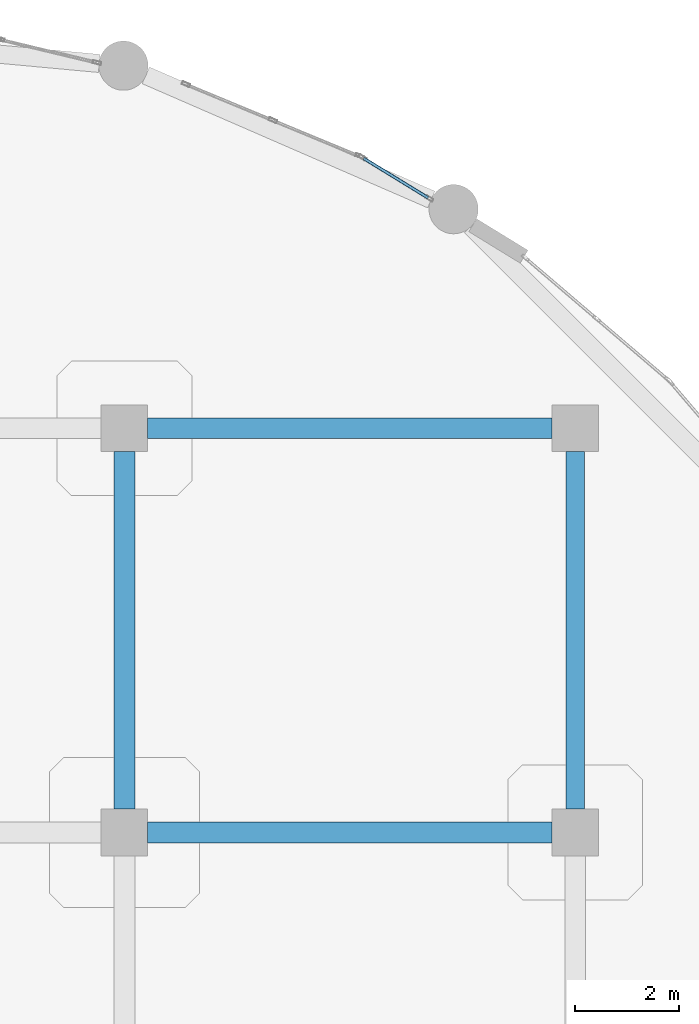
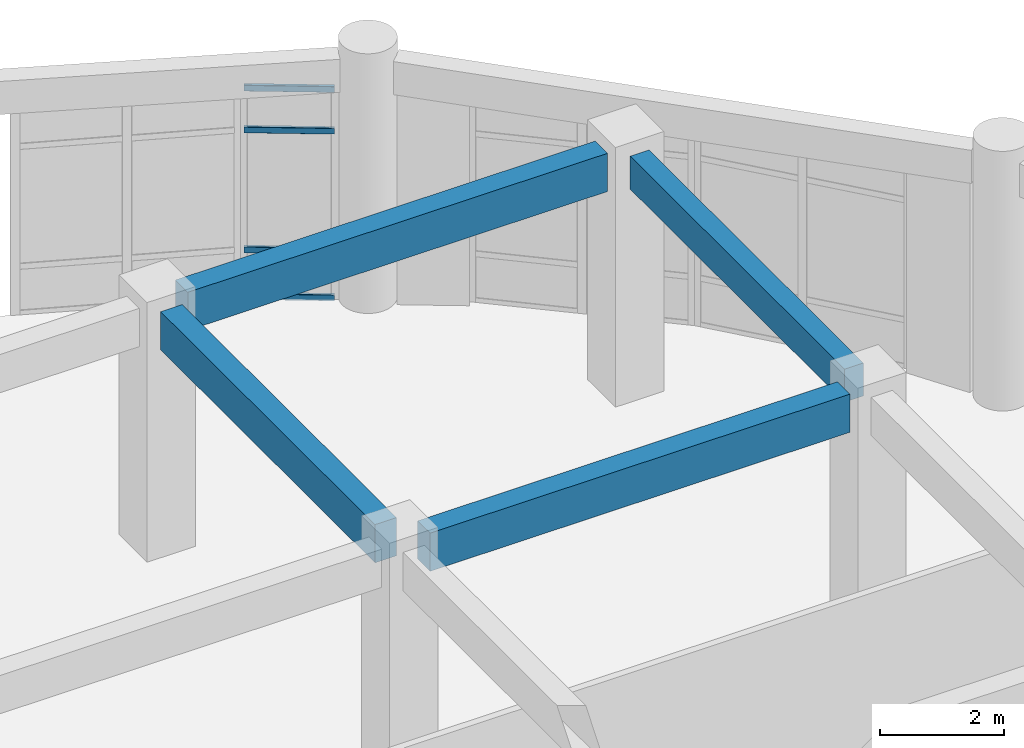
# One storey, part 81 of 120: 4 beams, 4 members, 1 element without a shape of its own.
"""IFC4 building model written with IfcOpenShell, lengths in metres."""

from ifc_helpers import new_model, si_unit, derived_unit, direction, frame, origin, origin_2d, place, context, subcontext, project, spatial, rectangle, hollow_rectangle, extrude, material, layer, layer_set, material_profile, profile_set, type_object, element, aggregate, save


model = new_model("IFC4")

# Units and contexts
model_context = context("Model", 3, precision=1e-05, world=origin(), true_north=direction((0.0, 1.0)))
body_context = subcontext(model_context, "Body", "Model", "MODEL_VIEW")
ifc_project = project(units=[si_unit("LENGTHUNIT", "METRE"), si_unit("AREAUNIT", "SQUARE_METRE"), si_unit("VOLUMEUNIT", "CUBIC_METRE"), si_unit("PLANEANGLEUNIT", "RADIAN"), si_unit("MASSUNIT", "GRAM", prefix="KILO"), derived_unit("THERMALTRANSMITTANCEUNIT", [(si_unit("MASSUNIT", "GRAM", prefix="KILO"), 1), (si_unit("TIMEUNIT", "SECOND"), -3), (si_unit("THERMODYNAMICTEMPERATUREUNIT", "KELVIN"), -1)])], contexts=[model_context])

# Site, building, storey
site_placement = place(None, origin())
site = spatial("IfcSite", under=ifc_project, at=site_placement, CompositionType="ELEMENT")
building_placement = place(site_placement, origin())
building = spatial("IfcBuilding", under=site, at=building_placement, Name="Qinzheling Arcade Emporium", CompositionType="ELEMENT")
storey_placement = place(building_placement, frame((0.0, 0.0, 11.39990234375)))
storey = spatial("IfcBuildingStorey", under=building, at=storey_placement, Name="L03", CompositionType="ELEMENT", Elevation=11.39990234375)

# Curtain wall, members
ifc_material_1 = material(Name="Anodised aluminium and solar-control double glazing", Category="aluminium")
ifc_layer = layer(ifc_material_1, 0.159912109375, Name="Anodised aluminium and solar-control double glazing", Category="aluminium")
ifc_layer_set = layer_set([ifc_layer], Name="Anodised aluminium and solar-control double glazing")
curtain_wall_type = type_object("IfcCurtainWallType", Name="Curved Ribbon Sales Curtain Wall", PredefinedType="NOTDEFINED", material=ifc_layer_set)
curtain_wall_placement = place(storey_placement, origin())
curtain_wall = element("IfcCurtainWall", 1, at=curtain_wall_placement, inside=storey, type_object=curtain_wall_type, Name="Curtain Wall CW-L03-185", PredefinedType="NOTDEFINED")
ifc_material_2 = material(Name="Anodised aluminium 6063-T6", Category="aluminium")
ifc_material_profile_1 = material_profile(ifc_material_2, hollow_rectangle(XDim=0.06005859375, YDim=0.1201171875, WallThickness=0.00390625, InnerFilletRadius=0.00390625, OuterFilletRadius=0.008056640625, at=origin_2d()), Name="RHS 120x60x4", Category="aluminium")
ifc_profile_set_1 = profile_set([ifc_material_profile_1], Name="Anodised aluminium 6063-T6")
member_type = type_object("IfcMemberType", Name="Curtain Wall Transom RHS120x60", PredefinedType="USERDEFINED", material=ifc_profile_set_1)
member_1_placement = place(storey_placement, frame((135.1201171875, 112.007568359375, 0.030029296875), z_axis=(0.852707591975, -0.522388516899, 0.0), x_axis=(0.522388516899, 0.852707591975, 0.0)))
member_1 = element("IfcMember", 2, at=member_1_placement, type_object=member_type, Name="CW02 transom 1.1", ObjectType="TRANSOM", PredefinedType="USERDEFINED", context=body_context, shape_type="SweptSolid", body=[
    extrude(hollow_rectangle(XDim=0.06005859375, YDim=0.1201171875, WallThickness=0.00390625, InnerFilletRadius=0.00390625, OuterFilletRadius=0.008056640625, at=origin_2d()), origin(), (0.0, 0.0, 1.0), 1.45166015625),
])
member_2_placement = place(storey_placement, frame((135.1201171875, 112.007568359375, 0.9501953125), z_axis=(0.852707591975, -0.522388516899, 0.0), x_axis=(0.522388516899, 0.852707591975, 0.0)))
member_2 = element("IfcMember", 3, at=member_2_placement, type_object=member_type, Name="CW02 transom 1.2", ObjectType="TRANSOM", PredefinedType="USERDEFINED", context=body_context, shape_type="SweptSolid", body=[
    extrude(hollow_rectangle(XDim=0.06005859375, YDim=0.1201171875, WallThickness=0.00390625, InnerFilletRadius=0.00390625, OuterFilletRadius=0.008056640625, at=origin_2d()), origin(), (0.0, 0.0, 1.0), 1.45166015625),
])
member_3_placement = place(storey_placement, frame((135.1201171875, 112.007568359375, 3.30517578125), z_axis=(0.852707591975, -0.522388516899, 0.0), x_axis=(0.522388516899, 0.852707591975, 0.0)))
member_3 = element("IfcMember", 4, at=member_3_placement, type_object=member_type, Name="CW02 transom 1.3", ObjectType="TRANSOM", PredefinedType="USERDEFINED", context=body_context, shape_type="SweptSolid", body=[
    extrude(hollow_rectangle(XDim=0.06005859375, YDim=0.1201171875, WallThickness=0.00390625, InnerFilletRadius=0.00390625, OuterFilletRadius=0.008056640625, at=origin_2d()), origin(), (0.0, 0.0, 1.0), 1.45166015625),
])
member_4_placement = place(storey_placement, frame((135.1201171875, 112.007568359375, 4.125), z_axis=(0.852707591975, -0.522388516899, 0.0), x_axis=(0.522388516899, 0.852707591975, 0.0)))
member_4 = element("IfcMember", 5, at=member_4_placement, type_object=member_type, Name="CW02 transom 1.4", ObjectType="TRANSOM", PredefinedType="USERDEFINED", context=body_context, shape_type="SweptSolid", body=[
    extrude(hollow_rectangle(XDim=0.06005859375, YDim=0.1201171875, WallThickness=0.00390625, InnerFilletRadius=0.00390625, OuterFilletRadius=0.008056640625, at=origin_2d()), origin(), (0.0, 0.0, 1.0), 1.45166015625),
])
aggregate(curtain_wall, [member_1, member_2, member_3, member_4])

# Beams
ifc_material_3 = material(Name="Concrete C40", Category="concrete")
ifc_material_profile_2 = material_profile(ifc_material_3, rectangle(XDim=0.39990234375, YDim=0.75, at=origin_2d()), Name="RC 400x750", Category="concrete")
ifc_profile_set_2 = profile_set([ifc_material_profile_2], Name="Concrete C40")
beam_type_1 = type_object("IfcBeamType", Name="RC Interior Tie Beam 400x750 C40", PredefinedType="BEAM", material=ifc_profile_set_2)
for number, where, z_axis, x_axis, name in (
    (6, (130.949951171875, 99.0, 4.460205078125), (1.0, 0.0, 0.0), (0.0, 1.0, 0.0), "Beam BM-L03-X-M-16"),
    (7, (130.949951171875, 106.800048828125, 4.460205078125), (1.0, 0.0, 0.0), (0.0, 1.0, 0.0), "Beam BM-L03-X-N-16"),
):
    element("IfcBeam", number, at=place(storey_placement, frame(where, z_axis=z_axis, x_axis=x_axis)), inside=storey, type_object=beam_type_1, Name=name, PredefinedType="BEAM", context=body_context, shape_type="SweptSolid", body=[
        extrude(rectangle(XDim=0.39990234375, YDim=0.75, at=origin_2d()), origin(), (0.0, 0.0, 1.0), 7.800048828125),
    ])
beam_1_placement = place(storey_placement, frame((130.5, 99.449951171875, 4.460205078125), z_axis=(0.0, 1.0, 0.0), x_axis=(-1.0, 0.0, 0.0)))
element("IfcBeam", 8, at=beam_1_placement, inside=storey, type_object=beam_type_1, Name="Beam BM-L03-Y-16-M", PredefinedType="BEAM", context=body_context, shape_type="SweptSolid", body=[
    extrude(rectangle(XDim=0.39990234375, YDim=0.75, at=origin_2d()), origin(), (0.0, 0.0, 1.0), 6.900146484375),
])
ifc_material_profile_3 = material_profile(ifc_material_3, rectangle(XDim=0.35009765625, YDim=0.64990234375, at=origin_2d()), Name="RC 350x650", Category="concrete")
ifc_profile_set_3 = profile_set([ifc_material_profile_3], Name="Concrete C40")
beam_type_2 = type_object("IfcBeamType", Name="RC Spandrel Edge Beam 350x650 C40", PredefinedType="SPANDREL", material=ifc_profile_set_3)
beam_2_placement = place(storey_placement, frame((139.199951171875, 99.449951171875, 4.510009765625), z_axis=(0.0, 1.0, 0.0), x_axis=(-1.0, 0.0, 0.0)))
element("IfcBeam", 9, at=beam_2_placement, inside=storey, type_object=beam_type_2, Name="Beam BM-L03-Y-17-M", PredefinedType="SPANDREL", context=body_context, shape_type="SweptSolid", body=[
    extrude(rectangle(XDim=0.35009765625, YDim=0.64990234375, at=origin_2d()), origin(), (0.0, 0.0, 1.0), 6.900146484375),
])

save(model, "model.ifc")
